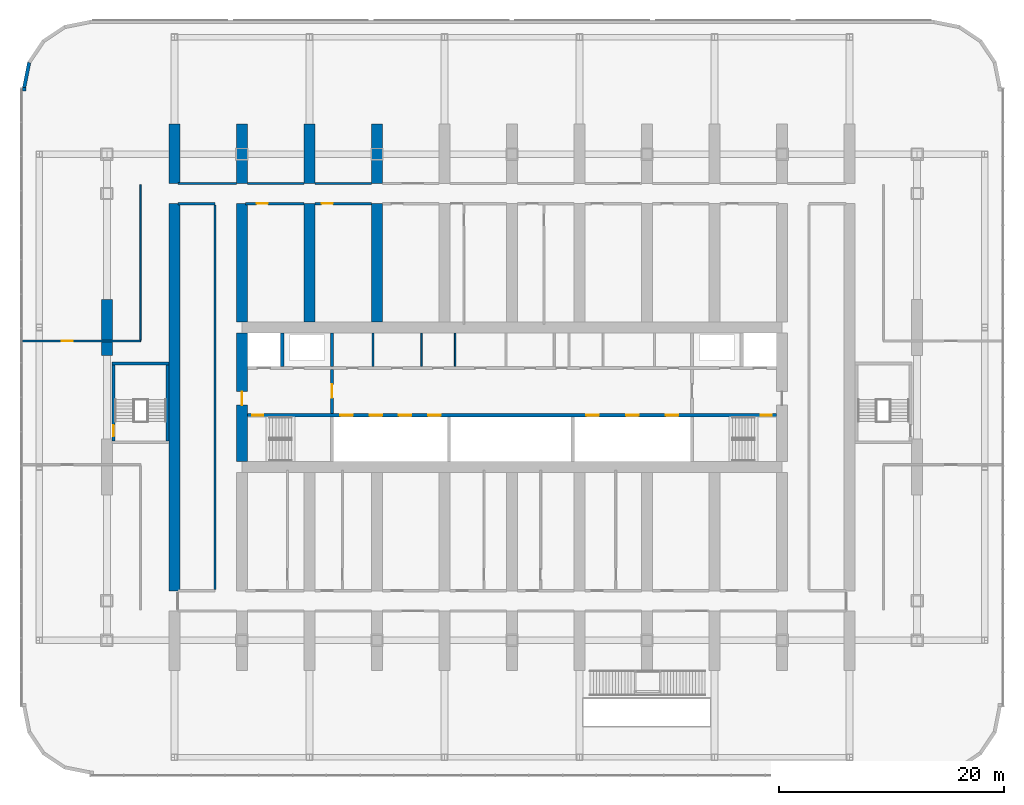
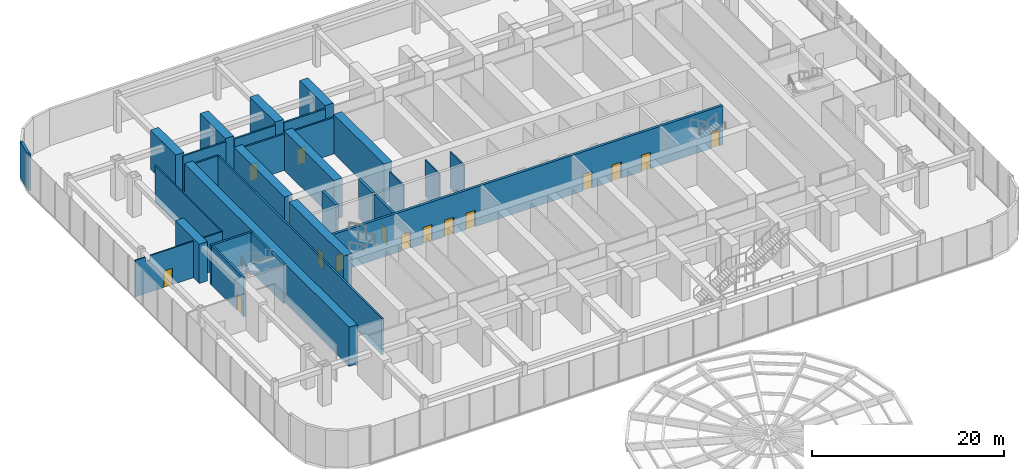
# One storey, part 16 of 37: 31 walls, 15 doors, 15 openings.
"""IFC4 building model written with IfcOpenShell, lengths in metres."""

from ifc_helpers import new_model, si_unit, direction, frame, frame_2d, origin, place, context, subcontext, project, spatial, polyline, rectangle, outline, extrude, material, layer, layer_set, type_object, element, fill, save


model = new_model("IFC4")

# Units and contexts
model_context = context("Model", 3, precision=1e-05, world=origin(), true_north=direction((0.0, 1.0)))
body_context = subcontext(model_context, "Body", "Model", "MODEL_VIEW")
ifc_project = project(units=[si_unit("LENGTHUNIT", "METRE"), si_unit("AREAUNIT", "SQUARE_METRE"), si_unit("VOLUMEUNIT", "CUBIC_METRE"), si_unit("PLANEANGLEUNIT", "RADIAN"), si_unit("MASSUNIT", "GRAM", prefix="KILO")], contexts=[model_context])

# Site, building, storey
site_placement = place(None, origin())
site = spatial("IfcSite", under=ifc_project, at=site_placement, CompositionType="ELEMENT")
building_placement = place(site_placement, origin())
building = spatial("IfcBuilding", under=site, at=building_placement, Name="Orbita Commons", CompositionType="ELEMENT")
storey_placement = place(building_placement, frame((0.0, 0.0, 6.0)))
storey = spatial("IfcBuildingStorey", under=building, at=storey_placement, Name="L01", CompositionType="ELEMENT", Elevation=6.0)

# Wall, openings, doors
ifc_material_1 = material(Name="Concrete C50/60", Category="concrete")
ifc_layer_1 = layer(ifc_material_1, 0.300048828125)
ifc_layer_set_1 = layer_set([ifc_layer_1], Name="Concrete C50/60")
wall_type_1 = type_object("IfcWallType", Name="Core inner wall 300 C50/60", PredefinedType="SHEAR", material=ifc_layer_set_1)
wall_1_placement = place(storey_placement, frame((18.5, 30.39990234375, 0.0), z_axis=(0.0, 0.0, 1.0), x_axis=(1.0, 0.0, 0.0)))
wall_1 = element("IfcWall", 1, at=wall_1_placement, inside=storey, type_object=wall_type_1, Name="Lobby wall south L01", PredefinedType="SHEAR", context=body_context, shape_type="SweptSolid", body=[
    extrude(rectangle(XDim=47.0, YDim=0.300048828125, at=frame_2d((23.5, 0.0))), origin(), (0.0, 0.0, 1.0), 5.0),
])
opening_1_placement = place(wall_1_placement, frame((0.39990234375, 0.0, 0.0)))
opening_1 = element("IfcOpeningElement", 2, at=opening_1_placement, cuts=wall_1, Name="Opening D02", PredefinedType="OPENING", context=body_context, shape_type="SweptSolid", body=[
    extrude(rectangle(XDim=1.0, YDim=2.10009765625, at=frame_2d((0.5, 1.050048828125))), frame((0.0, 0.159912109375, 0.0), z_axis=(0.0, -1.0, 0.0), x_axis=(1.0, 0.0, 0.0)), (0.0, 0.0, 1.0), 0.320068359375),
])
opening_2_placement = place(wall_1_placement, frame((45.60009765625, 0.0, 0.0)))
opening_2 = element("IfcOpeningElement", 3, at=opening_2_placement, cuts=wall_1, Name="Opening D02", PredefinedType="OPENING", context=body_context, shape_type="SweptSolid", body=[
    extrude(rectangle(XDim=1.0, YDim=2.10009765625, at=frame_2d((0.5, 1.050048828125))), frame((0.0, 0.159912109375, 0.0), z_axis=(0.0, -1.0, 0.0), x_axis=(1.0, 0.0, 0.0)), (0.0, 0.0, 1.0), 0.320068359375),
])
opening_3_placement = place(wall_1_placement, frame((8.25, 0.0, 0.0)))
opening_3 = element("IfcOpeningElement", 4, at=opening_3_placement, cuts=wall_1, Name="Opening LD02", PredefinedType="OPENING", context=body_context, shape_type="SweptSolid", body=[
    extrude(rectangle(XDim=1.10009765625, YDim=2.10009765625, at=frame_2d((0.550048828125, 1.050048828125))), frame((0.0, 0.159912109375, 0.0), z_axis=(0.0, -1.0, 0.0), x_axis=(1.0, 0.0, 0.0)), (0.0, 0.0, 1.0), 0.320068359375),
])
opening_4_placement = place(wall_1_placement, frame((10.85009765625, 0.0, 0.0)))
opening_4 = element("IfcOpeningElement", 5, at=opening_4_placement, cuts=wall_1, Name="Opening LD02", PredefinedType="OPENING", context=body_context, shape_type="SweptSolid", body=[
    extrude(rectangle(XDim=1.10009765625, YDim=2.10009765625, at=frame_2d((0.550048828125, 1.050048828125))), frame((0.0, 0.159912109375, 0.0), z_axis=(0.0, -1.0, 0.0), x_axis=(1.0, 0.0, 0.0)), (0.0, 0.0, 1.0), 0.320068359375),
])
opening_5_placement = place(wall_1_placement, frame((13.449951171875, 0.0, 0.0)))
opening_5 = element("IfcOpeningElement", 6, at=opening_5_placement, cuts=wall_1, Name="Opening LD02", PredefinedType="OPENING", context=body_context, shape_type="SweptSolid", body=[
    extrude(rectangle(XDim=1.10009765625, YDim=2.10009765625, at=frame_2d((0.550048828125, 1.050048828125))), frame((0.0, 0.159912109375, 0.0), z_axis=(0.0, -1.0, 0.0), x_axis=(1.0, 0.0, 0.0)), (0.0, 0.0, 1.0), 0.320068359375),
])
opening_6_placement = place(wall_1_placement, frame((16.050048828125, 0.0, 0.0)))
opening_6 = element("IfcOpeningElement", 7, at=opening_6_placement, cuts=wall_1, Name="Opening LD02", PredefinedType="OPENING", context=body_context, shape_type="SweptSolid", body=[
    extrude(rectangle(XDim=1.10009765625, YDim=2.10009765625, at=frame_2d((0.550048828125, 1.050048828125))), frame((0.0, 0.159912109375, 0.0), z_axis=(0.0, -1.0, 0.0), x_axis=(1.0, 0.0, 0.0)), (0.0, 0.0, 1.0), 0.320068359375),
])
opening_7_placement = place(wall_1_placement, frame((30.11669921875, 0.0, 0.0)))
opening_7 = element("IfcOpeningElement", 8, at=opening_7_placement, cuts=wall_1, Name="Opening LD02", PredefinedType="OPENING", context=body_context, shape_type="SweptSolid", body=[
    extrude(rectangle(XDim=1.10009765625, YDim=2.10009765625, at=frame_2d((0.550048828125, 1.050048828125))), frame((0.0, 0.159912109375, 0.0), z_axis=(0.0, -1.0, 0.0), x_axis=(1.0, 0.0, 0.0)), (0.0, 0.0, 1.0), 0.320068359375),
])
opening_8_placement = place(wall_1_placement, frame((33.64990234375, 0.0, 0.0)))
opening_8 = element("IfcOpeningElement", 9, at=opening_8_placement, cuts=wall_1, Name="Opening LD02", PredefinedType="OPENING", context=body_context, shape_type="SweptSolid", body=[
    extrude(rectangle(XDim=1.10009765625, YDim=2.10009765625, at=frame_2d((0.550048828125, 1.050048828125))), frame((0.0, 0.159912109375, 0.0), z_axis=(0.0, -1.0, 0.0), x_axis=(1.0, 0.0, 0.0)), (0.0, 0.0, 1.0), 0.320068359375),
])
opening_9_placement = place(wall_1_placement, frame((37.183349609375, 0.0, 0.0)))
opening_9 = element("IfcOpeningElement", 10, at=opening_9_placement, cuts=wall_1, Name="Opening LD02", PredefinedType="OPENING", context=body_context, shape_type="SweptSolid", body=[
    extrude(rectangle(XDim=1.10009765625, YDim=2.10009765625, at=frame_2d((0.550048828125, 1.050048828125))), frame((0.0, 0.159912109375, 0.0), z_axis=(0.0, -1.0, 0.0), x_axis=(1.0, 0.0, 0.0)), (0.0, 0.0, 1.0), 0.320068359375),
])
ifc_material_2 = material(Name="Steel-faced fire door leaf", Category="steel")
door_type_1 = type_object("IfcDoorType", Name="Fire door 90 min 1000x2100", OperationType="SINGLE_SWING_LEFT", PredefinedType="DOOR", material=ifc_material_2)
door_1_placement = place(opening_1_placement, origin())
door_1 = element("IfcDoor", 11, at=door_1_placement, inside=storey, type_object=door_type_1, Name="Stair S1 door", OperationType="SINGLE_SWING_LEFT", OverallHeight=2.10009765625, OverallWidth=1.0, PredefinedType="DOOR", context=body_context, shape_type="SweptSolid", body=[
    extrude(rectangle(XDim=1.0, YDim=2.10009765625, at=frame_2d((0.5, 1.050048828125))), frame((0.0, 0.02490234375, 0.0), z_axis=(0.0, -1.0, 0.0), x_axis=(1.0, 0.0, 0.0)), (0.0, 0.0, 1.0), 0.050048828125),
])
fill(opening_1, door_1)
door_2_placement = place(opening_2_placement, origin())
door_2 = element("IfcDoor", 12, at=door_2_placement, inside=storey, type_object=door_type_1, Name="Stair S2 door", OperationType="SINGLE_SWING_LEFT", OverallHeight=2.10009765625, OverallWidth=1.0, PredefinedType="DOOR", context=body_context, shape_type="SweptSolid", body=[
    extrude(rectangle(XDim=1.0, YDim=2.10009765625, at=frame_2d((0.5, 1.050048828125))), frame((0.0, 0.02490234375, 0.0), z_axis=(0.0, -1.0, 0.0), x_axis=(1.0, 0.0, 0.0)), (0.0, 0.0, 1.0), 0.050048828125),
])
fill(opening_2, door_2)
ifc_material_3 = material(Name="Steel-faced fire door leaf", Category="steel")
door_type_2 = type_object("IfcDoorType", Name="Lift landing door 1100x2100", OperationType="DOUBLE_DOOR_SLIDING", PredefinedType="DOOR", material=ifc_material_3)
door_3_placement = place(opening_3_placement, origin())
door_3 = element("IfcDoor", 13, at=door_3_placement, inside=storey, type_object=door_type_2, Name="Lift P11 landing door", OperationType="DOUBLE_DOOR_SLIDING", OverallHeight=2.10009765625, OverallWidth=1.10009765625, PredefinedType="DOOR", context=body_context, shape_type="SweptSolid", body=[
    extrude(rectangle(XDim=1.10009765625, YDim=2.10009765625, at=frame_2d((0.550048828125, 1.050048828125))), frame((0.0, 0.02490234375, 0.0), z_axis=(0.0, -1.0, 0.0), x_axis=(1.0, 0.0, 0.0)), (0.0, 0.0, 1.0), 0.050048828125),
])
fill(opening_3, door_3)
door_4_placement = place(opening_4_placement, origin())
door_4 = element("IfcDoor", 14, at=door_4_placement, inside=storey, type_object=door_type_2, Name="Lift P12 landing door", OperationType="DOUBLE_DOOR_SLIDING", OverallHeight=2.10009765625, OverallWidth=1.10009765625, PredefinedType="DOOR", context=body_context, shape_type="SweptSolid", body=[
    extrude(rectangle(XDim=1.10009765625, YDim=2.10009765625, at=frame_2d((0.550048828125, 1.050048828125))), frame((0.0, 0.02490234375, 0.0), z_axis=(0.0, -1.0, 0.0), x_axis=(1.0, 0.0, 0.0)), (0.0, 0.0, 1.0), 0.050048828125),
])
fill(opening_4, door_4)
door_5_placement = place(opening_5_placement, origin())
door_5 = element("IfcDoor", 15, at=door_5_placement, inside=storey, type_object=door_type_2, Name="Lift P13 landing door", OperationType="DOUBLE_DOOR_SLIDING", OverallHeight=2.10009765625, OverallWidth=1.10009765625, PredefinedType="DOOR", context=body_context, shape_type="SweptSolid", body=[
    extrude(rectangle(XDim=1.10009765625, YDim=2.10009765625, at=frame_2d((0.550048828125, 1.050048828125))), frame((0.0, 0.02490234375, 0.0), z_axis=(0.0, -1.0, 0.0), x_axis=(1.0, 0.0, 0.0)), (0.0, 0.0, 1.0), 0.050048828125),
])
fill(opening_5, door_5)
door_6_placement = place(opening_6_placement, origin())
door_6 = element("IfcDoor", 16, at=door_6_placement, inside=storey, type_object=door_type_2, Name="Lift P14 landing door", OperationType="DOUBLE_DOOR_SLIDING", OverallHeight=2.10009765625, OverallWidth=1.10009765625, PredefinedType="DOOR", context=body_context, shape_type="SweptSolid", body=[
    extrude(rectangle(XDim=1.10009765625, YDim=2.10009765625, at=frame_2d((0.550048828125, 1.050048828125))), frame((0.0, 0.02490234375, 0.0), z_axis=(0.0, -1.0, 0.0), x_axis=(1.0, 0.0, 0.0)), (0.0, 0.0, 1.0), 0.050048828125),
])
fill(opening_6, door_6)
door_7_placement = place(opening_7_placement, origin())
door_7 = element("IfcDoor", 17, at=door_7_placement, inside=storey, type_object=door_type_2, Name="Lift SV1 landing door", OperationType="DOUBLE_DOOR_SLIDING", OverallHeight=2.10009765625, OverallWidth=1.10009765625, PredefinedType="DOOR", context=body_context, shape_type="SweptSolid", body=[
    extrude(rectangle(XDim=1.10009765625, YDim=2.10009765625, at=frame_2d((0.550048828125, 1.050048828125))), frame((0.0, 0.02490234375, 0.0), z_axis=(0.0, -1.0, 0.0), x_axis=(1.0, 0.0, 0.0)), (0.0, 0.0, 1.0), 0.050048828125),
])
fill(opening_7, door_7)
door_8_placement = place(opening_8_placement, origin())
door_8 = element("IfcDoor", 18, at=door_8_placement, inside=storey, type_object=door_type_2, Name="Lift SV2 landing door", OperationType="DOUBLE_DOOR_SLIDING", OverallHeight=2.10009765625, OverallWidth=1.10009765625, PredefinedType="DOOR", context=body_context, shape_type="SweptSolid", body=[
    extrude(rectangle(XDim=1.10009765625, YDim=2.10009765625, at=frame_2d((0.550048828125, 1.050048828125))), frame((0.0, 0.02490234375, 0.0), z_axis=(0.0, -1.0, 0.0), x_axis=(1.0, 0.0, 0.0)), (0.0, 0.0, 1.0), 0.050048828125),
])
fill(opening_8, door_8)
door_9_placement = place(opening_9_placement, origin())
door_9 = element("IfcDoor", 19, at=door_9_placement, inside=storey, type_object=door_type_2, Name="Lift SV3 landing door", OperationType="DOUBLE_DOOR_SLIDING", OverallHeight=2.10009765625, OverallWidth=1.10009765625, PredefinedType="DOOR", context=body_context, shape_type="SweptSolid", body=[
    extrude(rectangle(XDim=1.10009765625, YDim=2.10009765625, at=frame_2d((0.550048828125, 1.050048828125))), frame((0.0, 0.02490234375, 0.0), z_axis=(0.0, -1.0, 0.0), x_axis=(1.0, 0.0, 0.0)), (0.0, 0.0, 1.0), 0.050048828125),
])
fill(opening_9, door_9)

# Wall, opening, door
wall_2_placement = place(storey_placement, frame((26.0, 30.550048828125, 0.0), z_axis=(0.0, 0.0, 1.0), x_axis=(0.0, 1.0, 0.0)))
wall_2 = element("IfcWall", 20, at=wall_2_placement, inside=storey, type_object=wall_type_1, Name="Firefighting lobby wall west L01", PredefinedType="SHEAR", context=body_context, shape_type="SweptSolid", body=[
    extrude(rectangle(XDim=3.89990234375, YDim=0.300048828125, at=frame_2d((1.949951171875, 0.0))), origin(), (0.0, 0.0, 1.0), 5.0),
])
opening_10_placement = place(wall_2_placement, frame((1.39990234375, 0.0, 0.0)))
opening_10 = element("IfcOpeningElement", 21, at=opening_10_placement, cuts=wall_2, Name="Opening D04", PredefinedType="OPENING", context=body_context, shape_type="SweptSolid", body=[
    extrude(rectangle(XDim=1.199951171875, YDim=2.10009765625, at=frame_2d((0.60009765625, 1.050048828125))), frame((0.0, 0.159912109375, 0.0), z_axis=(0.0, -1.0, 0.0), x_axis=(1.0, 0.0, 0.0)), (0.0, 0.0, 1.0), 0.320068359375),
])
ifc_material_4 = material(Name="Steel-faced fire door leaf", Category="steel")
door_type_3 = type_object("IfcDoorType", Name="Service door 20 min 1200x2100", OperationType="SINGLE_SWING_LEFT", PredefinedType="DOOR", material=ifc_material_4)
door_10_placement = place(opening_10_placement, origin())
door_10 = element("IfcDoor", 22, at=door_10_placement, inside=storey, type_object=door_type_3, Name="Lift lobby door west", OperationType="SINGLE_SWING_LEFT", OverallHeight=2.10009765625, OverallWidth=1.199951171875, PredefinedType="DOOR", context=body_context, shape_type="SweptSolid", body=[
    extrude(rectangle(XDim=1.199951171875, YDim=2.10009765625, at=frame_2d((0.60009765625, 1.050048828125))), frame((0.0, 0.02490234375, 0.0), z_axis=(0.0, -1.0, 0.0), x_axis=(1.0, 0.0, 0.0)), (0.0, 0.0, 1.0), 0.050048828125),
])
fill(opening_10, door_10)

# Walls
for number, where, z_axis, x_axis, name in (
    (23, (21.60009765625, 34.75, 0.0), (0.0, 0.0, 1.0), (0.0, 1.0, 0.0), "Firefighting lift FL1 shaft wall L01"),
    (24, (26.0, 34.75, 0.0), (0.0, 0.0, 1.0), (0.0, 1.0, 0.0), "Riser wall west L01"),
):
    element("IfcWall", number, at=place(storey_placement, frame(where, z_axis=z_axis, x_axis=x_axis)), inside=storey, type_object=wall_type_1, Name=name, PredefinedType="SHEAR", context=body_context, shape_type="SweptSolid", body=[
        extrude(rectangle(XDim=2.949951171875, YDim=0.300048828125, at=frame_2d((1.47509765625, 0.0))), origin(), (0.0, 0.0, 1.0), 5.0),
    ])
ifc_material_5 = material(Name="Concrete blockwork", Category="masonry")
ifc_layer_2 = layer(ifc_material_5, 0.14990234375)
ifc_layer_set_2 = layer_set([ifc_layer_2], Name="Concrete blockwork")
wall_type_2 = type_object("IfcWallType", Name="Core partition 150 blockwork", PredefinedType="SOLIDWALL", material=ifc_layer_set_2)
for number, where, z_axis, x_axis, name in (
    (25, (29.65087890625, 34.75, 0.0), (0.0, 0.0, 1.0), (0.0, 1.0, 0.0), "Core partition 150 blockwork L01"),
    (26, (33.9462890625, 34.75, 0.0), (0.0, 0.0, 1.0), (0.0, 1.0, 0.0), "Core partition 150 blockwork L01"),
    (27, (36.9462890625, 34.75, 0.0), (0.0, 0.0, 1.0), (0.0, 1.0, 0.0), "Core partition 150 blockwork L01"),
):
    element("IfcWall", number, at=place(storey_placement, frame(where, z_axis=z_axis, x_axis=x_axis)), inside=storey, type_object=wall_type_2, Name=name, PredefinedType="SOLIDWALL", context=body_context, shape_type="SweptSolid", body=[
        extrude(rectangle(XDim=2.949951171875, YDim=0.14990234375, at=frame_2d((1.47509765625, 0.0))), origin(), (0.0, 0.0, 1.0), 4.64990234375),
    ])

# Wall, opening, door
ifc_material_6 = material(Name="Concrete C50/60", Category="concrete")
ifc_layer_3 = layer(ifc_material_6, 1.0)
ifc_layer_set_3 = layer_set([ifc_layer_3], Name="Concrete C50/60")
wall_type_3 = type_object("IfcWallType", Name="Core wall 1000 C50/60", PredefinedType="SHEAR", material=ifc_layer_set_3)
wall_3_placement = place(storey_placement, frame((18.0, 26.300048828125, 0.0), z_axis=(0.0, 0.0, 1.0), x_axis=(0.0, 1.0, 0.0)))
wall_3 = element("IfcWall", 28, at=wall_3_placement, inside=storey, type_object=wall_type_3, Name="Core end wall west L01", PredefinedType="SHEAR", context=body_context, shape_type="SweptSolid", body=[
    extrude(rectangle(XDim=11.39990234375, YDim=1.0, at=frame_2d((5.699951171875, 0.0))), origin(), (0.0, 0.0, 1.0), 5.0),
])
opening_11_placement = place(wall_3_placement, frame((5.0, 0.0, 0.0)))
opening_11 = element("IfcOpeningElement", 29, at=opening_11_placement, cuts=wall_3, Name="Opening D01", PredefinedType="OPENING", context=body_context, shape_type="SweptSolid", body=[
    extrude(rectangle(XDim=1.199951171875, YDim=2.10009765625, at=frame_2d((0.60009765625, 1.050048828125))), frame((0.0, 0.510009765625, 0.0), z_axis=(0.0, -1.0, 0.0), x_axis=(1.0, 0.0, 0.0)), (0.0, 0.0, 1.0), 1.02001953125),
])
ifc_material_7 = material(Name="Steel-faced fire door leaf", Category="steel")
door_type_4 = type_object("IfcDoorType", Name="Fire door 90 min 1200x2100", OperationType="SINGLE_SWING_LEFT", PredefinedType="DOOR", material=ifc_material_7)
door_11_placement = place(opening_11_placement, origin())
door_11 = element("IfcDoor", 30, at=door_11_placement, inside=storey, type_object=door_type_4, Name="Firefighting lobby west door", OperationType="SINGLE_SWING_LEFT", OverallHeight=2.10009765625, OverallWidth=1.199951171875, PredefinedType="DOOR", context=body_context, shape_type="SweptSolid", body=[
    extrude(rectangle(XDim=1.199951171875, YDim=2.10009765625, at=frame_2d((0.60009765625, 1.050048828125))), frame((0.0, 0.02490234375, 0.0), z_axis=(0.0, -1.0, 0.0), x_axis=(1.0, 0.0, 0.0)), (0.0, 0.0, 1.0), 0.050048828125),
])
fill(opening_11, door_11)

# Walls
ifc_material_8 = material(Name="Concrete blockwork", Category="masonry")
ifc_layer_4 = layer(ifc_material_8, 0.199951171875)
ifc_layer_set_4 = layer_set([ifc_layer_4], Name="Concrete blockwork")
wall_type_4 = type_object("IfcWallType", Name="Corridor wall 200 blockwork", PredefinedType="SOLIDWALL", material=ifc_layer_set_4)
wall_4_placement = place(storey_placement, frame((12.300048828125, 51.0, 0.0), z_axis=(0.0, 0.0, 1.0), x_axis=(1.0, 0.0, 0.0)))
element("IfcWall", 31, at=wall_4_placement, inside=storey, type_object=wall_type_4, Name="Corridor wall 200 blockwork L01", PredefinedType="SOLIDWALL", context=body_context, shape_type="SweptSolid", body=[
    extrude(rectangle(XDim=5.199951171875, YDim=0.199951171875, at=frame_2d((2.60009765625, 0.0))), origin(), (0.0, 0.0, 1.0), 4.64990234375),
])
for number, where, z_axis, x_axis, name in (
    (32, (18.5, 51.0, 0.0), (0.0, 0.0, 1.0), (1.0, 0.0, 0.0), "Corridor wall 200 blockwork L01"),
    (33, (24.5, 51.0, 0.0), (0.0, 0.0, 1.0), (1.0, 0.0, 0.0), "Corridor wall 200 blockwork L01"),
):
    element("IfcWall", number, at=place(storey_placement, frame(where, z_axis=z_axis, x_axis=x_axis)), inside=storey, type_object=wall_type_4, Name=name, PredefinedType="SOLIDWALL", context=body_context, shape_type="SweptSolid", body=[
        extrude(rectangle(XDim=5.0, YDim=0.199951171875, at=frame_2d((2.5, 0.0))), origin(), (0.0, 0.0, 1.0), 4.64990234375),
    ])
wall_5_placement = place(storey_placement, frame((12.300048828125, 49.199951171875, 0.0), z_axis=(0.0, 0.0, 1.0), x_axis=(1.0, 0.0, 0.0)))
element("IfcWall", 34, at=wall_5_placement, inside=storey, type_object=wall_type_4, Name="Corridor wall 200 blockwork L01", PredefinedType="SOLIDWALL", context=body_context, shape_type="SweptSolid", body=[
    extrude(rectangle(XDim=3.300048828125, YDim=0.199951171875, at=frame_2d((1.64990234375, 0.0))), origin(), (0.0, 0.0, 1.0), 4.64990234375),
])
wall_6_placement = place(storey_placement, frame((15.60009765625, 14.89990234375, 0.0), z_axis=(0.0, 0.0, 1.0), x_axis=(0.0, 1.0, 0.0)))
element("IfcWall", 35, at=wall_6_placement, inside=storey, type_object=wall_type_4, Name="Corridor wall 200 blockwork L01", PredefinedType="SOLIDWALL", context=body_context, shape_type="SweptSolid", body=[
    extrude(rectangle(XDim=34.2001953125, YDim=0.199951171875, at=frame_2d((17.10009765625, 0.0))), origin(), (0.0, 0.0, 1.0), 4.64990234375),
])

# Wall, opening, door
wall_7_placement = place(storey_placement, frame((18.300048828125, 49.199951171875, 0.0), z_axis=(0.0, 0.0, 1.0), x_axis=(1.0, 0.0, 0.0)))
wall_7 = element("IfcWall", 36, at=wall_7_placement, inside=storey, type_object=wall_type_4, Name="Corridor wall 200 blockwork L01", PredefinedType="SOLIDWALL", context=body_context, shape_type="SweptSolid", body=[
    extrude(rectangle(XDim=5.199951171875, YDim=0.199951171875, at=frame_2d((2.60009765625, 0.0))), origin(), (0.0, 0.0, 1.0), 4.64990234375),
])
opening_12_placement = place(wall_7_placement, frame((1.0, 0.0, 0.0)))
opening_12 = element("IfcOpeningElement", 37, at=opening_12_placement, cuts=wall_7, Name="Opening D06", PredefinedType="OPENING", context=body_context, shape_type="SweptSolid", body=[
    extrude(rectangle(XDim=1.0, YDim=2.10009765625, at=frame_2d((0.5, 1.050048828125))), frame((0.0, 0.10986328125, 0.0), z_axis=(0.0, -1.0, 0.0), x_axis=(1.0, 0.0, 0.0)), (0.0, 0.0, 1.0), 0.219970703125),
])
ifc_material_9 = material(Name="Steel-faced fire door leaf", Category="steel")
door_type_5 = type_object("IfcDoorType", Name="Corridor door 20 min 1000x2100", OperationType="SINGLE_SWING_LEFT", PredefinedType="DOOR", material=ifc_material_9)
door_12_placement = place(opening_12_placement, origin())
door_12 = element("IfcDoor", 38, at=door_12_placement, inside=storey, type_object=door_type_5, Name="Room door", OperationType="SINGLE_SWING_LEFT", OverallHeight=2.10009765625, OverallWidth=1.0, PredefinedType="DOOR", context=body_context, shape_type="SweptSolid", body=[
    extrude(rectangle(XDim=1.0, YDim=2.10009765625, at=frame_2d((0.5, 1.050048828125))), frame((0.0, 0.02490234375, 0.0), z_axis=(0.0, -1.0, 0.0), x_axis=(1.0, 0.0, 0.0)), (0.0, 0.0, 1.0), 0.050048828125),
])
fill(opening_12, door_12)

wall_8_placement = place(storey_placement, frame((24.5, 49.199951171875, 0.0), z_axis=(0.0, 0.0, 1.0), x_axis=(1.0, 0.0, 0.0)))
wall_8 = element("IfcWall", 39, at=wall_8_placement, inside=storey, type_object=wall_type_4, Name="Corridor wall 200 blockwork L01", PredefinedType="SOLIDWALL", context=body_context, shape_type="SweptSolid", body=[
    extrude(rectangle(XDim=5.0, YDim=0.199951171875, at=frame_2d((2.5, 0.0))), origin(), (0.0, 0.0, 1.0), 4.64990234375),
])
opening_13_placement = place(wall_8_placement, frame((0.574951171875, 0.0, 0.0)))
opening_13 = element("IfcOpeningElement", 40, at=opening_13_placement, cuts=wall_8, Name="Opening D06", PredefinedType="OPENING", context=body_context, shape_type="SweptSolid", body=[
    extrude(rectangle(XDim=1.0, YDim=2.10009765625, at=frame_2d((0.5, 1.050048828125))), frame((0.0, 0.10986328125, 0.0), z_axis=(0.0, -1.0, 0.0), x_axis=(1.0, 0.0, 0.0)), (0.0, 0.0, 1.0), 0.219970703125),
])
door_13_placement = place(opening_13_placement, origin())
door_13 = element("IfcDoor", 41, at=door_13_placement, inside=storey, type_object=door_type_5, Name="Room door", OperationType="SINGLE_SWING_LEFT", OverallHeight=2.10009765625, OverallWidth=1.0, PredefinedType="DOOR", context=body_context, shape_type="SweptSolid", body=[
    extrude(rectangle(XDim=1.0, YDim=2.10009765625, at=frame_2d((0.5, 1.050048828125))), frame((0.0, 0.02490234375, 0.0), z_axis=(0.0, -1.0, 0.0), x_axis=(1.0, 0.0, 0.0)), (0.0, 0.0, 1.0), 0.050048828125),
])
fill(opening_13, door_13)

# Walls
ifc_material_10 = material(Name="Concrete C50/60", Category="concrete")
ifc_layer_5 = layer(ifc_material_10, 1.0)
ifc_layer_set_5 = layer_set([ifc_layer_5], Name="Concrete C50/60")
wall_type_5 = type_object("IfcWallType", Name="Cross wall 1000 C50/60", PredefinedType="SHEAR", material=ifc_layer_set_5)
wall_9_placement = place(storey_placement, frame((12.0, 51.0, 0.0), z_axis=(0.0, 0.0, 1.0), x_axis=(0.0, 1.0, 0.0)))
element("IfcWall", 42, at=wall_9_placement, inside=storey, type_object=wall_type_5, Name="Cross wall 3 north outer L01", PredefinedType="SHEAR", context=body_context, shape_type="SweptSolid", body=[
    extrude(rectangle(XDim=5.300048828125, YDim=1.0, at=frame_2d((2.64990234375, 0.0))), origin(), (0.0, 0.0, 1.0), 5.0),
])
wall_10_placement = place(storey_placement, frame((12.0, 14.800048828125, 0.0), z_axis=(0.0, 0.0, 1.0), x_axis=(0.0, 1.0, 0.0)))
element("IfcWall", 43, at=wall_10_placement, inside=storey, type_object=wall_type_5, Name="Cross wall 3 inner L01", PredefinedType="SHEAR", context=body_context, shape_type="SweptSolid", body=[
    extrude(rectangle(XDim=34.39990234375, YDim=1.0, at=frame_2d((17.199951171875, 0.0))), origin(), (0.0, 0.0, 1.0), 5.0),
])
wall_11_placement = place(storey_placement, frame((18.0, 51.0, 0.0), z_axis=(0.0, 0.0, 1.0), x_axis=(0.0, 1.0, 0.0)))
element("IfcWall", 44, at=wall_11_placement, inside=storey, type_object=wall_type_5, Name="Cross wall 4 north outer L01", PredefinedType="SHEAR", context=body_context, shape_type="SweptSolid", body=[
    extrude(rectangle(XDim=5.300048828125, YDim=1.0, at=frame_2d((2.64990234375, 0.0))), origin(), (0.0, 0.0, 1.0), 5.0),
])
wall_12_placement = place(storey_placement, frame((18.0, 38.699951171875, 0.0), z_axis=(0.0, 0.0, 1.0), x_axis=(0.0, 1.0, 0.0)))
element("IfcWall", 45, at=wall_12_placement, inside=storey, type_object=wall_type_5, Name="Cross wall 4 north inner L01", PredefinedType="SHEAR", context=body_context, shape_type="SweptSolid", body=[
    extrude(rectangle(XDim=10.5, YDim=1.0, at=frame_2d((5.25, 0.0))), origin(), (0.0, 0.0, 1.0), 5.0),
])
wall_13_placement = place(storey_placement, frame((24.0, 51.0, 0.0), z_axis=(0.0, 0.0, 1.0), x_axis=(0.0, 1.0, 0.0)))
element("IfcWall", 46, at=wall_13_placement, inside=storey, type_object=wall_type_5, Name="Cross wall 5 north outer L01", PredefinedType="SHEAR", context=body_context, shape_type="SweptSolid", body=[
    extrude(rectangle(XDim=5.300048828125, YDim=1.0, at=frame_2d((2.64990234375, 0.0))), origin(), (0.0, 0.0, 1.0), 5.0),
])
wall_14_placement = place(storey_placement, frame((24.0, 38.699951171875, 0.0), z_axis=(0.0, 0.0, 1.0), x_axis=(0.0, 1.0, 0.0)))
element("IfcWall", 47, at=wall_14_placement, inside=storey, type_object=wall_type_5, Name="Cross wall 5 north inner L01", PredefinedType="SHEAR", context=body_context, shape_type="SweptSolid", body=[
    extrude(rectangle(XDim=10.5, YDim=1.0, at=frame_2d((5.25, 0.0))), origin(), (0.0, 0.0, 1.0), 5.0),
])
wall_15_placement = place(storey_placement, frame((30.0, 51.0, 0.0), z_axis=(0.0, 0.0, 1.0), x_axis=(0.0, 1.0, 0.0)))
element("IfcWall", 48, at=wall_15_placement, inside=storey, type_object=wall_type_5, Name="Cross wall 6 north outer L01", PredefinedType="SHEAR", context=body_context, shape_type="SweptSolid", body=[
    extrude(rectangle(XDim=5.300048828125, YDim=1.0, at=frame_2d((2.64990234375, 0.0))), origin(), (0.0, 0.0, 1.0), 5.0),
])
wall_16_placement = place(storey_placement, frame((30.0, 38.699951171875, 0.0), z_axis=(0.0, 0.0, 1.0), x_axis=(0.0, 1.0, 0.0)))
element("IfcWall", 49, at=wall_16_placement, inside=storey, type_object=wall_type_5, Name="Cross wall 6 north inner L01", PredefinedType="SHEAR", context=body_context, shape_type="SweptSolid", body=[
    extrude(rectangle(XDim=10.5, YDim=1.0, at=frame_2d((5.25, 0.0))), origin(), (0.0, 0.0, 1.0), 5.0),
])
ifc_material_11 = material(Name="Concrete C50/60", Category="concrete")
ifc_layer_6 = layer(ifc_material_11, 1.0)
ifc_layer_set_6 = layer_set([ifc_layer_6], Name="Concrete C50/60")
wall_type_6 = type_object("IfcWallType", Name="End pier 1000x5000 C50/60", PredefinedType="SHEAR", material=ifc_layer_set_6)
wall_17_placement = place(storey_placement, frame((6.0, 35.699951171875, 0.0), z_axis=(0.0, 0.0, 1.0), x_axis=(0.0, 1.0, 0.0)))
element("IfcWall", 50, at=wall_17_placement, inside=storey, type_object=wall_type_6, Name="End pier 2/D L01", PredefinedType="SHEAR", context=body_context, shape_type="SweptSolid", body=[
    extrude(rectangle(XDim=5.0, YDim=1.0, at=frame_2d((2.5, 0.0))), origin(), (0.0, 0.0, 1.0), 5.0),
])

# Wall, opening, door
ifc_material_12 = material(Name="Gypsum plasterboard on steel studs", Category="steel")
ifc_layer_7 = layer(ifc_material_12, 0.14990234375)
ifc_layer_set_7 = layer_set([ifc_layer_7], Name="Gypsum plasterboard on steel studs")
wall_type_7 = type_object("IfcWallType", Name="Partition 150 plasterboard", PredefinedType="PARTITIONING", material=ifc_layer_set_7)
wall_18_placement = place(storey_placement, frame((-1.489990234375, 37.0, 0.0), z_axis=(0.0, 0.0, 1.0), x_axis=(1.0, 0.0, 0.0)))
wall_18 = element("IfcWall", 51, at=wall_18_placement, inside=storey, type_object=wall_type_7, Name="Partition 150 plasterboard L01", PredefinedType="PARTITIONING", context=body_context, shape_type="SweptSolid", body=[
    extrude(outline(polyline([(0.0, 0.0), (10.489990234375, 0.0), (10.489990234375, 4.64990234375), (1.7919921875, 4.64990234375), (1.7900390625, 4.050048828125), (1.19189453125, 4.050048828125), (1.18994140625, 4.64990234375), (0.0, 4.64990234375), (0.0, 0.0)])), frame((0.0, 0.074951171875, 0.0), z_axis=(0.0, -1.0, 0.0), x_axis=(1.0, 0.0, 0.0)), (0.0, 0.0, 1.0), 0.14990234375),
])
opening_14_placement = place(wall_18_placement, frame((3.469970703125, 0.0, 0.0)))
opening_14 = element("IfcOpeningElement", 52, at=opening_14_placement, cuts=wall_18, Name="Opening D06", PredefinedType="OPENING", context=body_context, shape_type="SweptSolid", body=[
    extrude(rectangle(XDim=1.0, YDim=2.10009765625, at=frame_2d((0.5, 1.050048828125))), frame((0.0, 0.0849609375, 0.0), z_axis=(0.0, -1.0, 0.0), x_axis=(1.0, 0.0, 0.0)), (0.0, 0.0, 1.0), 0.169921875),
])
door_14_placement = place(opening_14_placement, origin())
door_14 = element("IfcDoor", 53, at=door_14_placement, inside=storey, type_object=door_type_5, Name="Sports equipment store door", OperationType="SINGLE_SWING_LEFT", OverallHeight=2.10009765625, OverallWidth=1.0, PredefinedType="DOOR", context=body_context, shape_type="SweptSolid", body=[
    extrude(rectangle(XDim=1.0, YDim=2.10009765625, at=frame_2d((0.5, 1.050048828125))), frame((0.0, 0.02490234375, 0.0), z_axis=(0.0, -1.0, 0.0), x_axis=(1.0, 0.0, 0.0)), (0.0, 0.0, 1.0), 0.050048828125),
])
fill(opening_14, door_14)

# Walls
wall_19_placement = place(storey_placement, frame((9.0, 37.074951171875, 0.0), z_axis=(0.0, 0.0, 1.0), x_axis=(0.0, 1.0, 0.0)))
element("IfcWall", 54, at=wall_19_placement, inside=storey, type_object=wall_type_7, Name="Partition 150 plasterboard L01", PredefinedType="PARTITIONING", context=body_context, shape_type="SweptSolid", body=[
    extrude(rectangle(XDim=13.824951171875, YDim=0.14990234375, at=frame_2d((6.91259765625, 0.0))), origin(), (0.0, 0.0, 1.0), 4.64990234375),
])
ifc_material_13 = material(Name="Concrete C50/60", Category="concrete")
ifc_layer_8 = layer(ifc_material_13, 0.25)
ifc_layer_set_8 = layer_set([ifc_layer_8], Name="Concrete C50/60")
wall_type_8 = type_object("IfcWallType", Name="Podium stair wall 250 RC", PredefinedType="SHEAR", material=ifc_layer_set_8)
wall_20_placement = place(storey_placement, frame((11.39990234375, 28.125, 0.0), z_axis=(0.0, 0.0, 1.0), x_axis=(0.0, 1.0, 0.0)))
element("IfcWall", 55, at=wall_20_placement, inside=storey, type_object=wall_type_8, Name="Podium stair PS1 wall e L01", PredefinedType="SHEAR", context=body_context, shape_type="SweptSolid", body=[
    extrude(rectangle(XDim=6.75, YDim=0.25, at=frame_2d((3.375, 0.0))), origin(), (0.0, 0.0, 1.0), 5.0),
])
wall_21_placement = place(storey_placement, frame((11.52490234375, 35.0, 0.0), z_axis=(0.0, 0.0, 1.0), x_axis=(-1.0, 0.0, 0.0)))
element("IfcWall", 56, at=wall_21_placement, inside=storey, type_object=wall_type_8, Name="Podium stair PS1 wall n L01", PredefinedType="SHEAR", context=body_context, shape_type="SweptSolid", body=[
    extrude(rectangle(XDim=5.0498046875, YDim=0.25, at=frame_2d((2.52490234375, 0.0))), origin(), (0.0, 0.0, 1.0), 5.0),
])

# Wall, opening, door
wall_22_placement = place(storey_placement, frame((6.60009765625, 34.875, 0.0), z_axis=(0.0, 0.0, 1.0), x_axis=(0.0, -1.0, 0.0)))
wall_22 = element("IfcWall", 57, at=wall_22_placement, inside=storey, type_object=wall_type_8, Name="Podium stair PS1 wall w L01", PredefinedType="SHEAR", context=body_context, shape_type="SweptSolid", body=[
    extrude(rectangle(XDim=6.75, YDim=0.25, at=frame_2d((3.375, 0.0))), origin(), (0.0, 0.0, 1.0), 5.0),
])
opening_15_placement = place(wall_22_placement, frame((5.35009765625, 0.0, 0.0)))
opening_15 = element("IfcOpeningElement", 58, at=opening_15_placement, cuts=wall_22, Name="Opening D02", PredefinedType="OPENING", context=body_context, shape_type="SweptSolid", body=[
    extrude(rectangle(XDim=1.0, YDim=2.10009765625, at=frame_2d((0.5, 1.050048828125))), frame((0.0, 0.135009765625, 0.0), z_axis=(0.0, -1.0, 0.0), x_axis=(1.0, 0.0, 0.0)), (0.0, 0.0, 1.0), 0.27001953125),
])
door_15_placement = place(opening_15_placement, origin())
door_15 = element("IfcDoor", 59, at=door_15_placement, inside=storey, type_object=door_type_1, Name="Podium exit stair PS1 door", OperationType="SINGLE_SWING_LEFT", OverallHeight=2.10009765625, OverallWidth=1.0, PredefinedType="DOOR", context=body_context, shape_type="SweptSolid", body=[
    extrude(rectangle(XDim=1.0, YDim=2.10009765625, at=frame_2d((0.5, 1.050048828125))), frame((0.0, 0.02490234375, 0.0), z_axis=(0.0, -1.0, 0.0), x_axis=(1.0, 0.0, 0.0)), (0.0, 0.0, 1.0), 0.050048828125),
])
fill(opening_15, door_15)

# Walls
ifc_material_14 = material(Name="Precast concrete C40/50, white board-marked finish", Category="concrete")
ifc_layer_9 = layer(ifc_material_14, 0.300048828125)
ifc_layer_set_9 = layer_set([ifc_layer_9], Name="Precast concrete C40/50, white board-marked finish")
wall_type_9 = type_object("IfcWallType", Name="Precast concrete end shield 300", PredefinedType="SOLIDWALL", material=ifc_layer_set_9)
wall_23_placement = place(storey_placement, frame((-0.90478515625, 61.73876953125, 0.0), z_axis=(0.0, 0.0, 1.0), x_axis=(-0.195087604935, -0.98078582086, 0.0)))
element("IfcWall", 60, at=wall_23_placement, inside=storey, type_object=wall_type_9, Name="Podium corner wall NW 4 L01", PredefinedType="SOLIDWALL", context=body_context, shape_type="SweptSolid", body=[
    extrude(outline(polyline([(-0.02978515625, -0.14990234375), (2.297607421875, -0.14990234375), (2.267822265625, 0.14990234375), (0.02978515625, 0.14990234375), (-0.02978515625, -0.14990234375)])), origin(), (0.0, 0.0, 1.0), 4.64990234375),
])
wall_24_placement = place(storey_placement, frame((-1.35009765625, 59.5, 0.0), z_axis=(0.0, 0.0, 1.0), x_axis=(0.0, -1.0, 0.0)))
element("IfcWall", 61, at=wall_24_placement, inside=storey, type_object=wall_type_9, Name="Podium corner wall jamb W2 L01", PredefinedType="SOLIDWALL", context=body_context, shape_type="SweptSolid", body=[
    extrude(rectangle(XDim=0.300048828125, YDim=0.300048828125, at=frame_2d((0.14990234375, 0.0))), origin(), (0.0, 0.0, 1.0), 4.64990234375),
])

save(model, "model.ifc")
